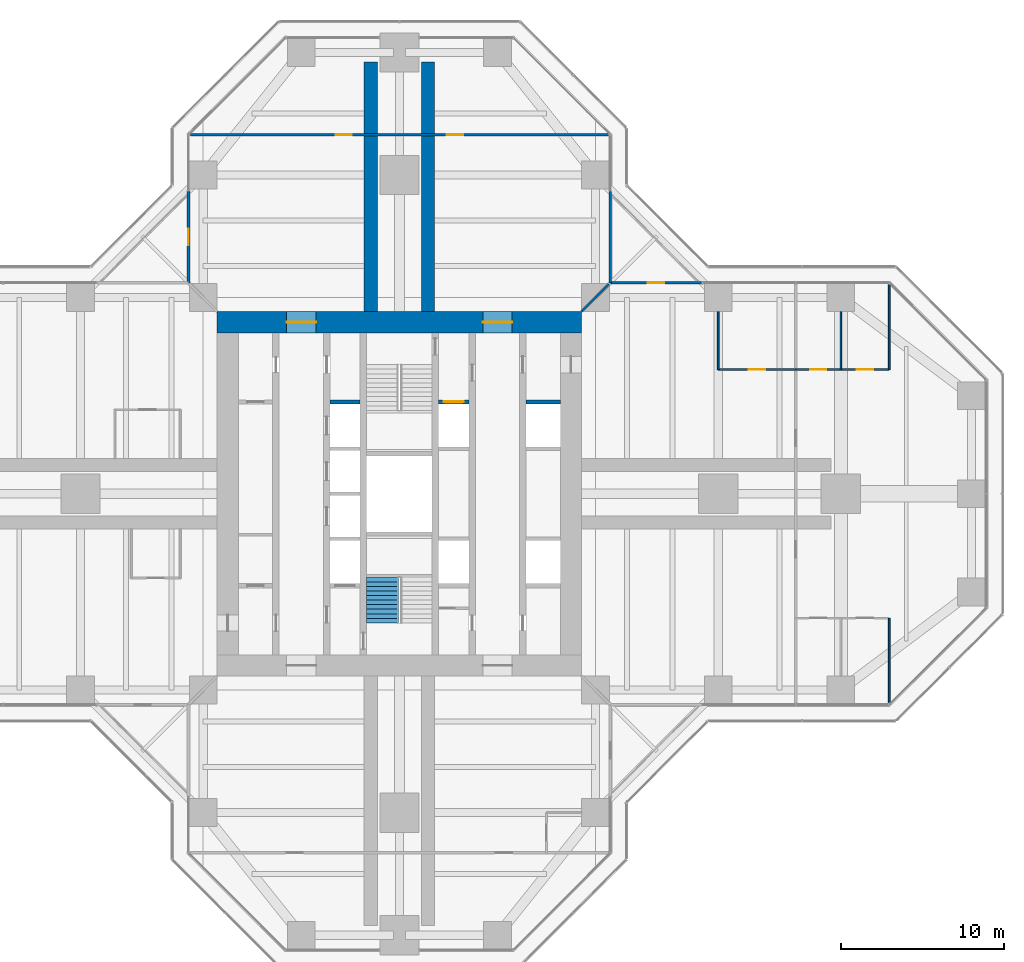
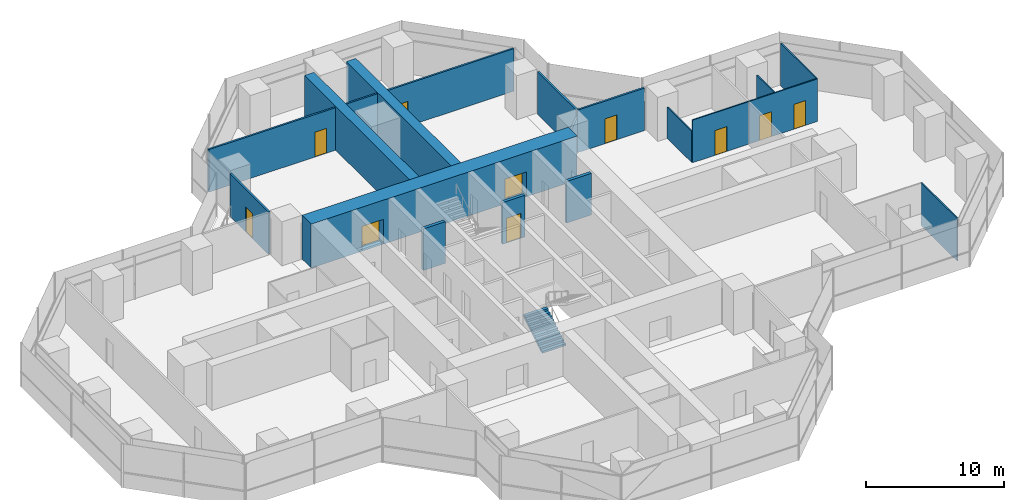
# One storey, part 17 of 19: 17 walls, 10 doors, 1 stair flight, 10 openings, 1 element without a shape of its own.
"""IFC4 building model written with IfcOpenShell, lengths in metres."""

import ifcopenshell
import ifcopenshell.guid

model = None  # the IFC model being written
_history = None  # IfcOwnerHistory: only IFC2X3 demands one
_inside = {}  # id of a spatial element -> (the spatial element, [elements in it])
_under = {}  # id of a project, library or spatial element -> (it, [spatial elements below it])
_declared = {}  # id of a project -> (the project, [libraries it declares])
_typed = {}  # id of a type object -> (the type object, [elements of that type])
_made_of = {}  # id of a material, layer set ... -> (it, [elements and type objects made of it])


def new_model(schema):
    """Start an empty IFC model of exactly this schema.

    Asked for "IFC4X3", IfcOpenShell would pick the latest addendum, in which some entities
    have other attributes; the version numbers below select the first issue.
    IFC2X3 requires an IfcOwnerHistory on every rooted entity: one is made here for all.
    """
    global model, _history
    if schema == "IFC4X3":
        model = ifcopenshell.file(schema_version=(4, 3, 0, 0))
    else:
        model = ifcopenshell.file(schema=schema)
    _inside.clear()
    _under.clear()
    _declared.clear()
    _typed.clear()
    _made_of.clear()
    _history = None
    if model.schema == "IFC2X3":
        org = make("IfcOrganization", Name="unknown")
        user = make(
            "IfcPersonAndOrganization",
            ThePerson=make("IfcPerson", FamilyName="unknown"),
            TheOrganization=org,
        )
        app = make(
            "IfcApplication",
            ApplicationDeveloper=org,
            Version="unknown",
            ApplicationFullName="unknown",
            ApplicationIdentifier="unknown",
        )
        _history = make(
            "IfcOwnerHistory",
            OwningUser=user,
            OwningApplication=app,
            ChangeAction="ADDED",
            CreationDate=0,
        )
    return model


def make(cls, **values):
    """One entity of the class cls with the attributes given. An attribute that is None is left unset."""
    return model.create_entity(
        cls, **{name: value for name, value in values.items() if value is not None}
    )


def rooted(cls, **values):
    """An entity with a GlobalId (a new one), such as an element, a storey or a relation."""
    return make(cls, GlobalId=ifcopenshell.guid.new(), OwnerHistory=_history, **values)


def si_unit(unit_type, name, prefix=None):
    """IfcSIUnit, for example si_unit("LENGTHUNIT", "METRE", prefix="MILLI")."""
    return make("IfcSIUnit", UnitType=unit_type, Prefix=prefix, Name=name)


def assignment(units):
    """IfcUnitAssignment: the units of a project."""
    return None if units is None else make("IfcUnitAssignment", Units=units)


def point(xyz):
    """IfcCartesianPoint."""
    return None if xyz is None else make("IfcCartesianPoint", Coordinates=xyz)


def direction(xyz):
    """IfcDirection."""
    return None if xyz is None else make("IfcDirection", DirectionRatios=xyz)


def frame(location, z_axis=None, x_axis=None):
    """IfcAxis2Placement3D, a coordinate frame: its origin and axes. An axis left out is left unset."""
    return make(
        "IfcAxis2Placement3D",
        Location=point(location),
        Axis=direction(z_axis),
        RefDirection=direction(x_axis),
    )


def frame_2d(location, x_axis=None):
    """IfcAxis2Placement2D, a coordinate frame in the plane: its origin and x axis."""
    return make(
        "IfcAxis2Placement2D", Location=point(location), RefDirection=direction(x_axis)
    )


def origin():
    """The frame at (0, 0, 0) with its axes left unset."""
    return frame((0.0, 0.0, 0.0))


def place(relative_to, where):
    """IfcLocalPlacement: puts the frame where relative to a parent placement (None: the world)."""
    return make(
        "IfcLocalPlacement", PlacementRelTo=relative_to, RelativePlacement=where
    )


def context(
    kind, dimensions, precision=None, world=None, true_north=None, identifier=None
):
    """IfcGeometricRepresentationContext, for example the 3D "Model" context."""
    return make(
        "IfcGeometricRepresentationContext",
        ContextIdentifier=identifier,
        ContextType=kind,
        CoordinateSpaceDimension=dimensions,
        Precision=precision,
        WorldCoordinateSystem=world,
        TrueNorth=true_north,
    )


def subcontext(parent, identifier, kind, view, scale=None):
    """IfcGeometricRepresentationSubContext, for example "Body" below "Model"."""
    return make(
        "IfcGeometricRepresentationSubContext",
        ContextIdentifier=identifier,
        ContextType=kind,
        ParentContext=parent,
        TargetScale=scale,
        TargetView=view,
    )


def project(units=None, contexts=None):
    """IfcProject with its units and contexts."""
    return rooted(
        "IfcProject",
        Name="project",
        RepresentationContexts=contexts,
        UnitsInContext=assignment(units),
    )


def spatial(cls, under=None, at=None, **own):
    """A site, building, storey or space (cls), placed at a placement, below another one or the project."""
    s = rooted(cls, ObjectPlacement=at, **own)
    if under is not None:
        _under.setdefault(under.id(), (under, []))[1].append(s)
    return s


def polyline(points):
    """IfcPolyline through the points."""
    return make("IfcPolyline", Points=[point(p) for p in points])


def profile(cls, at=None, kind="AREA", **sizes):
    """A parametric profile (cls). Its sizes go by their IFC names, for example OverallWidth=200.0."""
    return make(cls, ProfileType=kind, Position=at, **sizes)


def rectangle(**sizes):
    """IfcRectangleProfileDef."""
    return profile("IfcRectangleProfileDef", **sizes)


def outline(outer, holes=None, kind="AREA"):
    """IfcArbitraryClosedProfileDef: a profile drawn as a closed curve; with holes, ...WithVoids."""
    if holes is None:
        return make("IfcArbitraryClosedProfileDef", ProfileType=kind, OuterCurve=outer)
    return make(
        "IfcArbitraryProfileDefWithVoids",
        ProfileType=kind,
        OuterCurve=outer,
        InnerCurves=holes,
    )


def extrude(swept, where, along, depth):
    """IfcExtrudedAreaSolid: the profile swept, set in the frame where, extruded along a direction by depth."""
    return make(
        "IfcExtrudedAreaSolid",
        SweptArea=swept,
        Position=where,
        ExtrudedDirection=direction(along),
        Depth=depth,
    )


def shape(context_of_items, identifier, shape_type, items):
    """IfcShapeRepresentation: the items that make up one representation, for example the "Body"."""
    return make(
        "IfcShapeRepresentation",
        ContextOfItems=context_of_items,
        RepresentationIdentifier=identifier,
        RepresentationType=shape_type,
        Items=items,
    )


def material(Name=None, Category=None):
    """IfcMaterial."""
    return make("IfcMaterial", Name=Name, Category=Category)


def layer(
    of_material, thickness, ventilated=None, Name=None, Category=None, Priority=None
):
    """IfcMaterialLayer: one layer of a wall or slab, of a material (None: an air gap)."""
    return make(
        "IfcMaterialLayer",
        Material=of_material,
        LayerThickness=thickness,
        IsVentilated=ventilated,
        Name=Name,
        Category=Category,
        Priority=Priority,
    )


def layer_set(layers, Name=None):
    """IfcMaterialLayerSet."""
    return make("IfcMaterialLayerSet", MaterialLayers=layers, LayerSetName=Name)


def made_of(thing, what):
    """Note that an element or type object is made of a material, layer set ...; save() writes the relation."""
    if what is not None:
        _made_of.setdefault(what.id(), (what, []))[1].append(thing)
    return thing


def type_object(cls, material=None, **own):
    """A type object (cls), such as IfcWallType, which elements share."""
    return made_of(rooted(cls, **own), material)


def element(
    cls,
    number,
    at=None,
    inside=None,
    cuts=None,
    type_object=None,
    material=None,
    context=None,
    identifier="Body",
    shape_type=None,
    held_by="IfcProductDefinitionShape",
    body=None,
    shapes=None,
    **own,
):
    """One element of the class cls, such as IfcWall. Its Tag is "e" and its number.

    at: its placement. inside: the storey or other place that contains it. cuts: it is an
    opening in that element (IfcRelVoidsElement). A single representation is given by context,
    identifier, shape_type and body (its items); several are given by shapes. held_by: the class
    of the entity that holds the representations. save() writes the other relations.
    """
    e = rooted(cls, Tag="e%d" % number, ObjectPlacement=at, **own)
    if body is not None:
        shapes = [shape(context, identifier, shape_type, body)]
    if shapes is not None:
        e.Representation = make(held_by, Representations=shapes)
    if inside is not None:
        _inside.setdefault(inside.id(), (inside, []))[1].append(e)
    if cuts is not None:
        rooted(
            "IfcRelVoidsElement", RelatingBuildingElement=cuts, RelatedOpeningElement=e
        )
    if type_object is not None:
        _typed.setdefault(type_object.id(), (type_object, []))[1].append(e)
    return made_of(e, material)


def fill(opening, filler):
    """IfcRelFillsElement: the door or window that sits in an opening."""
    return rooted(
        "IfcRelFillsElement",
        RelatingOpeningElement=opening,
        RelatedBuildingElement=filler,
    )


def aggregate(whole, parts):
    """IfcRelAggregates: a whole, such as a stair, and the parts it consists of."""
    return rooted("IfcRelAggregates", RelatingObject=whole, RelatedObjects=parts)


def save(model, path):
    """Write the relations noted so far, then the file.

    IfcRelAggregates (storeys below a building ...), IfcRelContainedInSpatialStructure (elements
    in a storey), IfcRelDefinesByType, IfcRelAssociatesMaterial and IfcRelDeclares: one each for
    every whole, place, type object, material and project.
    """
    for whole, parts in _under.values():
        aggregate(whole, parts)
    for where, things in _inside.values():
        rooted(
            "IfcRelContainedInSpatialStructure",
            RelatedElements=things,
            RelatingStructure=where,
        )
    for kind, things in _typed.values():
        rooted("IfcRelDefinesByType", RelatedObjects=things, RelatingType=kind)
    for what, things in _made_of.values():
        rooted("IfcRelAssociatesMaterial", RelatedObjects=things, RelatingMaterial=what)
    for by, libraries in _declared.values():
        rooted("IfcRelDeclares", RelatingContext=by, RelatedDefinitions=libraries)
    model.write(path)


model = new_model("IFC4")

# Units and contexts
model_context = context("Model", 3, precision=1e-05, world=origin(), true_north=direction((0.0, 1.0)))
body_context = subcontext(model_context, "Body", "Model", "MODEL_VIEW")
ifc_project = project(units=[si_unit("LENGTHUNIT", "METRE"), si_unit("AREAUNIT", "SQUARE_METRE"), si_unit("VOLUMEUNIT", "CUBIC_METRE"), si_unit("PLANEANGLEUNIT", "RADIAN"), si_unit("MASSUNIT", "GRAM", prefix="KILO")], contexts=[model_context])

# Site, building, storey
site_placement = place(None, origin())
site = spatial("IfcSite", under=ifc_project, at=site_placement, CompositionType="ELEMENT")
building_placement = place(site_placement, origin())
building = spatial("IfcBuilding", under=site, at=building_placement, Name="Mizan Broadcast Tower", CompositionType="ELEMENT")
storey_placement = place(building_placement, frame((0.0, 0.0, 132.0)))
storey = spatial("IfcBuildingStorey", under=building, at=storey_placement, Name="L29", CompositionType="ELEMENT", Elevation=132.0)

# Wall, openings, doors
ifc_material_1 = material(Name="Concrete C70/85", Category="concrete")
ifc_layer_1 = layer(ifc_material_1, 1.300048828125)
ifc_layer_set_1 = layer_set([ifc_layer_1], Name="Concrete C70/85")
wall_type_1 = type_object("IfcWallType", Name="CORE WALL 1300", PredefinedType="SHEAR", material=ifc_layer_set_1)
wall_1_placement = place(storey_placement, frame((-11.14990234375, 10.5, 0.0), z_axis=(0.0, 0.0, 1.0), x_axis=(1.0, 0.0, 0.0)))
wall_1 = element("IfcWall", 1, at=wall_1_placement, inside=storey, type_object=wall_type_1, Name="Core wall N L29", PredefinedType="SHEAR", context=body_context, shape_type="SweptSolid", body=[
    extrude(rectangle(XDim=22.2998046875, YDim=1.300048828125, at=frame_2d((11.14990234375, 0.0))), origin(), (0.0, 0.0, 1.0), 3.89990234375),
])
opening_1_placement = place(wall_1_placement, frame((4.25, 0.0, 0.0)))
opening_1 = element("IfcOpeningElement", 2, at=opening_1_placement, cuts=wall_1, Name="Opening D18F", PredefinedType="OPENING", context=body_context, shape_type="SweptSolid", body=[
    extrude(rectangle(XDim=1.800048828125, YDim=2.199951171875, at=frame_2d((0.89990234375, 1.10009765625))), frame((0.0, 0.659912109375, 0.0), z_axis=(0.0, -1.0, 0.0), x_axis=(1.0, 0.0, 0.0)), (0.0, 0.0, 1.0), 1.320068359375),
])
opening_2_placement = place(wall_1_placement, frame((16.25, 0.0, 0.0)))
opening_2 = element("IfcOpeningElement", 3, at=opening_2_placement, cuts=wall_1, Name="Opening D18F", PredefinedType="OPENING", context=body_context, shape_type="SweptSolid", body=[
    extrude(rectangle(XDim=1.800048828125, YDim=2.199951171875, at=frame_2d((0.89990234375, 1.10009765625))), frame((0.0, 0.659912109375, 0.0), z_axis=(0.0, -1.0, 0.0), x_axis=(1.0, 0.0, 0.0)), (0.0, 0.0, 1.0), 1.320068359375),
])
ifc_material_2 = material(Name="Steel door leaf in steel frame", Category="steel")
door_type_1 = type_object("IfcDoorType", Name="LOBBY DOUBLE DOOR 1800 FD90", OperationType="DOUBLE_DOOR_DOUBLE_SWING", PredefinedType="DOOR", material=ifc_material_2)
door_1_placement = place(opening_1_placement, origin())
door_1 = element("IfcDoor", 4, at=door_1_placement, inside=storey, type_object=door_type_1, Name="West lift lobby north door", OperationType="DOUBLE_DOOR_DOUBLE_SWING", OverallHeight=2.199951171875, OverallWidth=1.800048828125, PredefinedType="DOOR", context=body_context, shape_type="SweptSolid", body=[
    extrude(rectangle(XDim=1.800048828125, YDim=2.199951171875, at=frame_2d((0.89990234375, 1.10009765625))), frame((0.0, 0.02490234375, 0.0), z_axis=(0.0, -1.0, 0.0), x_axis=(1.0, 0.0, 0.0)), (0.0, 0.0, 1.0), 0.050048828125),
])
fill(opening_1, door_1)
door_2_placement = place(opening_2_placement, origin())
door_2 = element("IfcDoor", 5, at=door_2_placement, inside=storey, type_object=door_type_1, Name="East lift lobby north door", OperationType="DOUBLE_DOOR_DOUBLE_SWING", OverallHeight=2.199951171875, OverallWidth=1.800048828125, PredefinedType="DOOR", context=body_context, shape_type="SweptSolid", body=[
    extrude(rectangle(XDim=1.800048828125, YDim=2.199951171875, at=frame_2d((0.89990234375, 1.10009765625))), frame((0.0, 0.02490234375, 0.0), z_axis=(0.0, -1.0, 0.0), x_axis=(1.0, 0.0, 0.0)), (0.0, 0.0, 1.0), 0.050048828125),
])
fill(opening_2, door_2)

# Wall, opening, door
ifc_material_3 = material(Name="Aluminium framed glazed screen", Category="aluminium")
ifc_layer_2 = layer(ifc_material_3, 0.159912109375)
ifc_layer_set_2 = layer_set([ifc_layer_2], Name="Aluminium framed glazed screen")
wall_type_2 = type_object("IfcWallType", Name="GLAZED SCREEN WALL 160", PredefinedType="SOLIDWALL", material=ifc_layer_set_2)
wall_2_placement = place(storey_placement, frame((18.5, 12.89990234375, 0.0), z_axis=(0.0, 0.0, 1.0), x_axis=(-1.0, 0.0, 0.0)))
wall_2 = element("IfcWall", 6, at=wall_2_placement, inside=storey, type_object=wall_type_2, Name="Winter garden screen L29 E", PredefinedType="SOLIDWALL", context=body_context, shape_type="SweptSolid", body=[
    extrude(rectangle(XDim=5.60009765625, YDim=0.159912109375, at=frame_2d((2.800048828125, 0.0))), origin(), (0.0, 0.0, 1.0), 3.77001953125),
])
opening_3_placement = place(wall_2_placement, frame((2.300048828125, 0.0, 0.0)))
opening_3 = element("IfcOpeningElement", 7, at=opening_3_placement, cuts=wall_2, Name="Opening WGD", PredefinedType="OPENING", context=body_context, shape_type="SweptSolid", body=[
    extrude(rectangle(XDim=1.0, YDim=2.199951171875, at=frame_2d((0.5, 1.10009765625))), frame((0.0, 0.08984375, 0.0), z_axis=(0.0, -1.0, 0.0), x_axis=(1.0, 0.0, 0.0)), (0.0, 0.0, 1.0), 0.179931640625),
])
ifc_material_4 = material(Name="Aluminium framed glazed door", Category="aluminium")
door_type_2 = type_object("IfcDoorType", Name="WINTER GARDEN DOOR 1000 GLAZED", OperationType="SINGLE_SWING_LEFT", PredefinedType="DOOR", material=ifc_material_4)
door_3_placement = place(opening_3_placement, origin())
door_3 = element("IfcDoor", 8, at=door_3_placement, inside=storey, type_object=door_type_2, Name="Winter garden door L29 E", OperationType="SINGLE_SWING_RIGHT", OverallHeight=2.199951171875, OverallWidth=1.0, PredefinedType="DOOR", context=body_context, shape_type="SweptSolid", body=[
    extrude(rectangle(XDim=1.0, YDim=2.199951171875, at=frame_2d((0.5, 1.10009765625))), frame((0.0, 0.02490234375, 0.0), z_axis=(0.0, -1.0, 0.0), x_axis=(1.0, 0.0, 0.0)), (0.0, 0.0, 1.0), 0.050048828125),
])
fill(opening_3, door_3)

# Wall
wall_3_placement = place(storey_placement, frame((12.89990234375, 12.89990234375, 0.0), z_axis=(0.0, 0.0, 1.0), x_axis=(0.0, 1.0, 0.0)))
element("IfcWall", 9, at=wall_3_placement, inside=storey, type_object=wall_type_2, Name="Winter garden screen L29 N", PredefinedType="SOLIDWALL", context=body_context, shape_type="SweptSolid", body=[
    extrude(rectangle(XDim=5.60009765625, YDim=0.159912109375, at=frame_2d((2.800048828125, 0.0))), origin(), (0.0, 0.0, 1.0), 3.77001953125),
])

# Wall, opening, door
wall_4_placement = place(storey_placement, frame((-12.89990234375, 18.5, 0.0), z_axis=(0.0, 0.0, 1.0), x_axis=(0.0, -1.0, 0.0)))
wall_4 = element("IfcWall", 10, at=wall_4_placement, inside=storey, type_object=wall_type_2, Name="Winter garden screen L29 N", PredefinedType="SOLIDWALL", context=body_context, shape_type="SweptSolid", body=[
    extrude(rectangle(XDim=5.60009765625, YDim=0.159912109375, at=frame_2d((2.800048828125, 0.0))), origin(), (0.0, 0.0, 1.0), 3.77001953125),
])
opening_4_placement = place(wall_4_placement, frame((2.300048828125, 0.0, 0.0)))
opening_4 = element("IfcOpeningElement", 11, at=opening_4_placement, cuts=wall_4, Name="Opening WGD", PredefinedType="OPENING", context=body_context, shape_type="SweptSolid", body=[
    extrude(rectangle(XDim=1.0, YDim=2.199951171875, at=frame_2d((0.5, 1.10009765625))), frame((0.0, 0.08984375, 0.0), z_axis=(0.0, -1.0, 0.0), x_axis=(1.0, 0.0, 0.0)), (0.0, 0.0, 1.0), 0.179931640625),
])
door_4_placement = place(opening_4_placement, origin())
door_4 = element("IfcDoor", 12, at=door_4_placement, inside=storey, type_object=door_type_2, Name="Winter garden door L29 N", OperationType="SINGLE_SWING_RIGHT", OverallHeight=2.199951171875, OverallWidth=1.0, PredefinedType="DOOR", context=body_context, shape_type="SweptSolid", body=[
    extrude(rectangle(XDim=1.0, YDim=2.199951171875, at=frame_2d((0.5, 1.10009765625))), frame((0.0, 0.02490234375, 0.0), z_axis=(0.0, -1.0, 0.0), x_axis=(1.0, 0.0, 0.0)), (0.0, 0.0, 1.0), 0.050048828125),
])
fill(opening_4, door_4)

# Wall
ifc_material_5 = material(Name="Concrete blockwork", Category="masonry")
ifc_layer_3 = layer(ifc_material_5, 0.25)
ifc_layer_set_3 = layer_set([ifc_layer_3], Name="Concrete blockwork")
wall_type_3 = type_object("IfcWallType", Name="LOBBY ENCLOSURE WALL 250", PredefinedType="SOLIDWALL", material=ifc_layer_set_3)
wall_5_placement = place(storey_placement, frame((-4.25, 5.625, 0.0), z_axis=(0.0, 0.0, 1.0), x_axis=(1.0, 0.0, 0.0)))
element("IfcWall", 13, at=wall_5_placement, inside=storey, type_object=wall_type_3, Name="Lobby enclosure wall CORE/BW2N", PredefinedType="SOLIDWALL", context=body_context, shape_type="SweptSolid", body=[
    extrude(rectangle(XDim=1.85009765625, YDim=0.25, at=frame_2d((0.925048828125, 0.0))), origin(), (0.0, 0.0, 1.0), 3.699951171875),
])

# Wall, opening, door
wall_6_placement = place(storey_placement, frame((2.39990234375, 5.625, 0.0), z_axis=(0.0, 0.0, 1.0), x_axis=(1.0, 0.0, 0.0)))
wall_6 = element("IfcWall", 14, at=wall_6_placement, inside=storey, type_object=wall_type_3, Name="Lobby enclosure wall CORE/BE2N", PredefinedType="SOLIDWALL", context=body_context, shape_type="SweptSolid", body=[
    extrude(rectangle(XDim=1.85009765625, YDim=0.25, at=frame_2d((0.925048828125, 0.0))), origin(), (0.0, 0.0, 1.0), 3.699951171875),
])
opening_5_placement = place(wall_6_placement, frame((0.324951171875, 0.0, 0.0)))
opening_5 = element("IfcOpeningElement", 15, at=opening_5_placement, cuts=wall_6, Name="Opening LDF", PredefinedType="OPENING", context=body_context, shape_type="SweptSolid", body=[
    extrude(rectangle(XDim=1.199951171875, YDim=2.199951171875, at=frame_2d((0.60009765625, 1.10009765625))), frame((0.0, 0.135009765625, 0.0), z_axis=(0.0, -1.0, 0.0), x_axis=(1.0, 0.0, 0.0)), (0.0, 0.0, 1.0), 0.27001953125),
])
ifc_material_6 = material(Name="Steel door leaf in steel frame", Category="steel")
door_type_3 = type_object("IfcDoorType", Name="FIREFIGHTING LIFT LANDING DOOR 1200", OperationType="SLIDING_TO_LEFT", PredefinedType="DOOR", material=ifc_material_6)
door_5_placement = place(opening_5_placement, origin())
door_5 = element("IfcDoor", 16, at=door_5_placement, inside=storey, type_object=door_type_3, Name="Landing door FF2", OperationType="SLIDING_TO_LEFT", OverallHeight=2.199951171875, OverallWidth=1.199951171875, PredefinedType="DOOR", context=body_context, shape_type="SweptSolid", body=[
    extrude(rectangle(XDim=1.199951171875, YDim=2.199951171875, at=frame_2d((0.60009765625, 1.10009765625))), frame((0.0, 0.02490234375, 0.0), z_axis=(0.0, -1.0, 0.0), x_axis=(1.0, 0.0, 0.0)), (0.0, 0.0, 1.0), 0.050048828125),
])
fill(opening_5, door_5)

# Wall
wall_7_placement = place(storey_placement, frame((7.75, 5.625, 0.0), z_axis=(0.0, 0.0, 1.0), x_axis=(1.0, 0.0, 0.0)))
element("IfcWall", 17, at=wall_7_placement, inside=storey, type_object=wall_type_3, Name="Lobby enclosure wall CORE/BE1N", PredefinedType="SOLIDWALL", context=body_context, shape_type="SweptSolid", body=[
    extrude(rectangle(XDim=2.10009765625, YDim=0.25, at=frame_2d((1.050048828125, 0.0))), origin(), (0.0, 0.0, 1.0), 3.699951171875),
])

# Wall, openings, doors
ifc_material_7 = material(Name="Gypsum board on steel studs", Category="steel")
ifc_layer_4 = layer(ifc_material_7, 0.14990234375)
ifc_layer_set_4 = layer_set([ifc_layer_4], Name="Gypsum board on steel studs")
wall_type_4 = type_object("IfcWallType", Name="PARTITION 150", PredefinedType="PARTITIONING", material=ifc_layer_set_4)
wall_8_placement = place(storey_placement, frame((12.786376953125, 21.958984375, 0.0), z_axis=(0.0, 0.0, 1.0), x_axis=(-1.0, 0.0, 0.0)))
wall_8 = element("IfcWall", 18, at=wall_8_placement, inside=storey, type_object=wall_type_4, Name="Partition PT/NX1", PredefinedType="PARTITIONING", context=body_context, shape_type="SweptSolid", body=[
    extrude(rectangle(XDim=25.57275390625, YDim=0.14990234375, at=frame_2d((12.786376953125, 0.0))), origin(), (0.0, 0.0, 1.0), 3.77001953125),
])
opening_6_placement = place(wall_8_placement, frame((15.6865234375, 0.0, 0.0)))
opening_6 = element("IfcOpeningElement", 19, at=opening_6_placement, cuts=wall_8, Name="Opening D10", PredefinedType="OPENING", context=body_context, shape_type="SweptSolid", body=[
    extrude(rectangle(XDim=1.0, YDim=2.199951171875, at=frame_2d((0.5, 1.10009765625))), frame((0.0, 0.0849609375, 0.0), z_axis=(0.0, -1.0, 0.0), x_axis=(1.0, 0.0, 0.0)), (0.0, 0.0, 1.0), 0.169921875),
])
opening_7_placement = place(wall_8_placement, frame((8.886474609375, 0.0, 0.0)))
opening_7 = element("IfcOpeningElement", 20, at=opening_7_placement, cuts=wall_8, Name="Opening D10", PredefinedType="OPENING", context=body_context, shape_type="SweptSolid", body=[
    extrude(rectangle(XDim=1.0, YDim=2.199951171875, at=frame_2d((0.5, 1.10009765625))), frame((0.0, 0.0849609375, 0.0), z_axis=(0.0, -1.0, 0.0), x_axis=(1.0, 0.0, 0.0)), (0.0, 0.0, 1.0), 0.169921875),
])
ifc_material_8 = material(Name="Timber door leaf in aluminium frame", Category="wood")
door_type_4 = type_object("IfcDoorType", Name="ROOM DOOR 1000", OperationType="SINGLE_SWING_LEFT", PredefinedType="DOOR", material=ifc_material_8)
door_6_placement = place(opening_6_placement, origin())
door_6 = element("IfcDoor", 21, at=door_6_placement, inside=storey, type_object=door_type_4, Name="Finance director's office door", OperationType="SINGLE_SWING_RIGHT", OverallHeight=2.199951171875, OverallWidth=1.0, PredefinedType="DOOR", context=body_context, shape_type="SweptSolid", body=[
    extrude(rectangle(XDim=1.0, YDim=2.199951171875, at=frame_2d((0.5, 1.10009765625))), frame((0.0, 0.02490234375, 0.0), z_axis=(0.0, -1.0, 0.0), x_axis=(1.0, 0.0, 0.0)), (0.0, 0.0, 1.0), 0.050048828125),
])
fill(opening_6, door_6)
door_7_placement = place(opening_7_placement, origin())
door_7 = element("IfcDoor", 22, at=door_7_placement, inside=storey, type_object=door_type_4, Name="Finance director's office door", OperationType="SINGLE_SWING_LEFT", OverallHeight=2.199951171875, OverallWidth=1.0, PredefinedType="DOOR", context=body_context, shape_type="SweptSolid", body=[
    extrude(rectangle(XDim=1.0, YDim=2.199951171875, at=frame_2d((0.5, 1.10009765625))), frame((0.0, 0.02490234375, 0.0), z_axis=(0.0, -1.0, 0.0), x_axis=(1.0, 0.0, 0.0)), (0.0, 0.0, 1.0), 0.050048828125),
])
fill(opening_7, door_7)

# Wall
wall_9_placement = place(storey_placement, frame((11.14990234375, 11.14990234375, 0.0), z_axis=(0.0, 0.0, 1.0), x_axis=(0.707106781187, 0.707106781187, 0.0)))
element("IfcWall", 23, at=wall_9_placement, inside=storey, type_object=wall_type_4, Name="Partition PT/DGEN", PredefinedType="PARTITIONING", context=body_context, shape_type="SweptSolid", body=[
    extrude(rectangle(XDim=2.362060546875, YDim=0.14990234375, at=frame_2d((1.18115234375, 0.0))), origin(), (0.0, 0.0, 1.0), 3.219970703125),
])

# Wall, opening, door
ifc_material_9 = material(Name="Glazed aluminium partition on aluminium track", Category="aluminium")
ifc_layer_5 = layer(ifc_material_9, 0.10009765625)
ifc_layer_set_5 = layer_set([ifc_layer_5], Name="Glazed aluminium partition on aluminium track")
wall_type_5 = type_object("IfcWallType", Name="PARTITION GLAZED OFFICE FRONT 100", PredefinedType="PARTITIONING", material=ifc_layer_set_5)
wall_10_placement = place(storey_placement, frame((19.5, 7.60009765625, 0.0), z_axis=(0.0, 0.0, 1.0), x_axis=(1.0, 0.0, 0.0)))
wall_10 = element("IfcWall", 24, at=wall_10_placement, inside=storey, type_object=wall_type_5, Name="Glazed office front PT/ECP0", PredefinedType="PARTITIONING", context=body_context, shape_type="SweptSolid", body=[
    extrude(rectangle(XDim=4.72900390625, YDim=0.10009765625, at=frame_2d((2.364501953125, 0.0))), origin(), (0.0, 0.0, 1.0), 3.77001953125),
])
opening_8_placement = place(wall_10_placement, frame((1.864501953125, 0.0, 0.0)))
opening_8 = element("IfcOpeningElement", 25, at=opening_8_placement, cuts=wall_10, Name="Opening D10O", PredefinedType="OPENING", context=body_context, shape_type="SweptSolid", body=[
    extrude(rectangle(XDim=1.0, YDim=2.199951171875, at=frame_2d((0.5, 1.10009765625))), frame((0.0, 0.06005859375, 0.0), z_axis=(0.0, -1.0, 0.0), x_axis=(1.0, 0.0, 0.0)), (0.0, 0.0, 1.0), 0.1201171875),
])
ifc_material_10 = material(Name="Timber door leaf in aluminium frame", Category="wood")
door_type_5 = type_object("IfcDoorType", Name="OFFICE DOOR 1000 GLAZED", OperationType="SINGLE_SWING_LEFT", PredefinedType="DOOR", material=ifc_material_10)
door_8_placement = place(opening_8_placement, origin())
door_8 = element("IfcDoor", 26, at=door_8_placement, inside=storey, type_object=door_type_5, Name="Office door", OperationType="SINGLE_SWING_LEFT", OverallHeight=2.199951171875, OverallWidth=1.0, PredefinedType="DOOR", context=body_context, shape_type="SweptSolid", body=[
    extrude(rectangle(XDim=1.0, YDim=2.199951171875, at=frame_2d((0.5, 1.10009765625))), frame((0.0, 0.02490234375, 0.0), z_axis=(0.0, -1.0, 0.0), x_axis=(1.0, 0.0, 0.0)), (0.0, 0.0, 1.0), 0.050048828125),
])
fill(opening_8, door_8)

# Wall, openings, doors
wall_11_placement = place(storey_placement, frame((24.22900390625, 7.60009765625, 0.0), z_axis=(0.0, 0.0, 1.0), x_axis=(1.0, 0.0, 0.0)))
wall_11 = element("IfcWall", 27, at=wall_11_placement, inside=storey, type_object=wall_type_5, Name="Glazed office front PT/ECP1", PredefinedType="PARTITIONING", context=body_context, shape_type="SweptSolid", body=[
    extrude(rectangle(XDim=5.72998046875, YDim=0.10009765625, at=frame_2d((2.864990234375, 0.0))), origin(), (0.0, 0.0, 1.0), 3.77001953125),
])
opening_9_placement = place(wall_11_placement, frame((0.885498046875, 0.0, 0.0)))
opening_9 = element("IfcOpeningElement", 28, at=opening_9_placement, cuts=wall_11, Name="Opening D10O", PredefinedType="OPENING", context=body_context, shape_type="SweptSolid", body=[
    extrude(rectangle(XDim=1.0, YDim=2.199951171875, at=frame_2d((0.5, 1.10009765625))), frame((0.0, 0.06005859375, 0.0), z_axis=(0.0, -1.0, 0.0), x_axis=(1.0, 0.0, 0.0)), (0.0, 0.0, 1.0), 0.1201171875),
])
opening_10_placement = place(wall_11_placement, frame((3.75048828125, 0.0, 0.0)))
opening_10 = element("IfcOpeningElement", 29, at=opening_10_placement, cuts=wall_11, Name="Opening D10O", PredefinedType="OPENING", context=body_context, shape_type="SweptSolid", body=[
    extrude(rectangle(XDim=1.0, YDim=2.199951171875, at=frame_2d((0.5, 1.10009765625))), frame((0.0, 0.06005859375, 0.0), z_axis=(0.0, -1.0, 0.0), x_axis=(1.0, 0.0, 0.0)), (0.0, 0.0, 1.0), 0.1201171875),
])
door_9_placement = place(opening_9_placement, origin())
door_9 = element("IfcDoor", 30, at=door_9_placement, inside=storey, type_object=door_type_5, Name="Office door", OperationType="SINGLE_SWING_LEFT", OverallHeight=2.199951171875, OverallWidth=1.0, PredefinedType="DOOR", context=body_context, shape_type="SweptSolid", body=[
    extrude(rectangle(XDim=1.0, YDim=2.199951171875, at=frame_2d((0.5, 1.10009765625))), frame((0.0, 0.02490234375, 0.0), z_axis=(0.0, -1.0, 0.0), x_axis=(1.0, 0.0, 0.0)), (0.0, 0.0, 1.0), 0.050048828125),
])
fill(opening_9, door_9)
door_10_placement = place(opening_10_placement, origin())
door_10 = element("IfcDoor", 31, at=door_10_placement, inside=storey, type_object=door_type_5, Name="Office door", OperationType="SINGLE_SWING_RIGHT", OverallHeight=2.199951171875, OverallWidth=1.0, PredefinedType="DOOR", context=body_context, shape_type="SweptSolid", body=[
    extrude(rectangle(XDim=1.0, YDim=2.199951171875, at=frame_2d((0.5, 1.10009765625))), frame((0.0, 0.02490234375, 0.0), z_axis=(0.0, -1.0, 0.0), x_axis=(1.0, 0.0, 0.0)), (0.0, 0.0, 1.0), 0.050048828125),
])
fill(opening_10, door_10)

# Walls
wall_12_placement = place(storey_placement, frame((19.5, 7.60009765625, 0.0), z_axis=(0.0, 0.0, 1.0), x_axis=(0.0, 1.0, 0.0)))
element("IfcWall", 32, at=wall_12_placement, inside=storey, type_object=wall_type_5, Name="Glazed office front PT/EQP1950", PredefinedType="PARTITIONING", context=body_context, shape_type="SweptSolid", body=[
    extrude(rectangle(XDim=3.5498046875, YDim=0.10009765625, at=frame_2d((1.77490234375, 0.0))), origin(), (0.0, 0.0, 1.0), 2.77001953125),
])
wall_13_placement = place(storey_placement, frame((27.0, 7.60009765625, 0.0), z_axis=(0.0, 0.0, 1.0), x_axis=(0.0, 1.0, 0.0)))
element("IfcWall", 33, at=wall_13_placement, inside=storey, type_object=wall_type_5, Name="Glazed office front PT/EQP2700", PredefinedType="PARTITIONING", context=body_context, shape_type="SweptSolid", body=[
    extrude(rectangle(XDim=3.5498046875, YDim=0.10009765625, at=frame_2d((1.77490234375, 0.0))), origin(), (0.0, 0.0, 1.0), 2.969970703125),
])
for number, where, z_axis, x_axis, name in (
    (34, (29.958984375, 7.60009765625, 0.0), (0.0, 0.0, 1.0), (0.0, 1.0, 0.0), "Glazed office front PT/EQP2996"),
    (35, (29.958984375, -7.60009765625, 0.0), (0.0, 0.0, 1.0), (0.0, -1.0, 0.0), "Glazed office front PT/EQN2996"),
):
    element("IfcWall", number, at=place(storey_placement, frame(where, z_axis=z_axis, x_axis=x_axis)), inside=storey, type_object=wall_type_5, Name=name, PredefinedType="PARTITIONING", context=body_context, shape_type="SweptSolid", body=[
        extrude(rectangle(XDim=5.219970703125, YDim=0.10009765625, at=frame_2d((2.60986328125, 0.0))), origin(), (0.0, 0.0, 1.0), 3.77001953125),
    ])
ifc_material_11 = material(Name="Concrete C70/85", Category="concrete")
ifc_layer_6 = layer(ifc_material_11, 0.800048828125)
ifc_layer_set_6 = layer_set([ifc_layer_6], Name="Concrete C70/85")
wall_type_6 = type_object("IfcWallType", Name="SPINE WALL 800", PredefinedType="SHEAR", material=ifc_layer_set_6)
for number, where, z_axis, x_axis, name in (
    (36, (1.75, 11.14990234375, 0.0), (0.0, 0.0, 1.0), (0.0, 1.0, 0.0), "Spine wall NR L29"),
    (37, (-1.75, 11.14990234375, 0.0), (0.0, 0.0, 1.0), (0.0, 1.0, 0.0), "Spine wall NL L29"),
):
    element("IfcWall", number, at=place(storey_placement, frame(where, z_axis=z_axis, x_axis=x_axis)), inside=storey, type_object=wall_type_6, Name=name, PredefinedType="SHEAR", context=body_context, shape_type="SweptSolid", body=[
        extrude(rectangle(XDim=15.25, YDim=0.800048828125, at=frame_2d((7.625, 0.0))), origin(), (0.0, 0.0, 1.0), 3.89990234375),
    ])

# Stair, stair flight
ifc_material_12 = material(Name="Concrete C40/50", Category="concrete")
stair_type = type_object("IfcStairType", Name="EXIT STAIR", PredefinedType="HALF_TURN_STAIR", material=ifc_material_12)
stair_placement = place(storey_placement, origin())
stair = element("IfcStair", 38, at=stair_placement, inside=storey, type_object=stair_type, Name="Stair A L29", PredefinedType="HALF_TURN_STAIR")
ifc_material_13 = material(Name="Concrete C40/50", Category="concrete")
stair_flight_type = type_object("IfcStairFlightType", Name="EXIT STAIR FLIGHT", PredefinedType="STRAIGHT", material=ifc_material_13)
stair_flight_placement = place(storey_placement, frame((-1.02490234375, -7.89990234375, 0.0), z_axis=(0.0, 0.0, 1.0), x_axis=(0.0, 1.0, 0.0)))
stair_flight = element("IfcStairFlight", 39, at=stair_flight_placement, type_object=stair_flight_type, Name="A flight 1", NumberOfRisers=11, NumberOfTreads=10, PredefinedType="STRAIGHT", RiserHeight=0.177272727, TreadLength=0.28, context=body_context, shape_type="SweptSolid", body=[
    extrude(outline(polyline([(0.0, 0.0), (0.0, 0.17724609375), (0.280029296875, 0.17724609375), (0.280029296875, 0.3544921875), (0.56005859375, 0.3544921875), (0.56005859375, 0.53173828125), (0.840087890625, 0.53173828125), (0.840087890625, 0.708984375), (1.1201171875, 0.708984375), (1.1201171875, 0.886474609375), (1.39990234375, 0.886474609375), (1.39990234375, 1.063720703125), (1.679931640625, 1.063720703125), (1.679931640625, 1.240966796875), (1.9599609375, 1.240966796875), (1.9599609375, 1.418212890625), (2.239990234375, 1.418212890625), (2.239990234375, 1.595458984375), (2.52001953125, 1.595458984375), (2.52001953125, 1.772705078125), (2.800048828125, 1.772705078125), (2.800048828125, 1.949951171875), (2.800048828125, 1.59521484375), (0.2802734375, 0.0), (0.0, 0.0)])), frame((0.0, 0.97509765625, 0.0), z_axis=(0.0, -1.0, 0.0), x_axis=(1.0, 0.0, 0.0)), (0.0, 0.0, 1.0), 0.4873046875),
    extrude(outline(polyline([(0.0, 0.0), (0.0, 0.17724609375), (0.280029296875, 0.17724609375), (0.280029296875, 0.3544921875), (0.56005859375, 0.3544921875), (0.56005859375, 0.53173828125), (0.840087890625, 0.53173828125), (0.840087890625, 0.708984375), (1.1201171875, 0.708984375), (1.1201171875, 0.886474609375), (1.39990234375, 0.886474609375), (1.39990234375, 1.063720703125), (1.679931640625, 1.063720703125), (1.679931640625, 1.240966796875), (1.9599609375, 1.240966796875), (1.9599609375, 1.418212890625), (2.239990234375, 1.418212890625), (2.239990234375, 1.595458984375), (2.52001953125, 1.595458984375), (2.52001953125, 1.772705078125), (2.800048828125, 1.772705078125), (2.800048828125, 1.949951171875), (2.800048828125, 1.59521484375), (0.2802734375, 0.0), (0.0, 0.0)])), frame((0.0, 0.4873046875, 0.0), z_axis=(0.0, -1.0, 0.0), x_axis=(1.0, 0.0, 0.0)), (0.0, 0.0, 1.0), 0.2431640625),
    extrude(outline(polyline([(0.0, 0.0), (0.0, 0.17724609375), (0.280029296875, 0.17724609375), (0.280029296875, 0.3544921875), (0.56005859375, 0.3544921875), (0.56005859375, 0.53173828125), (0.840087890625, 0.53173828125), (0.840087890625, 0.708984375), (1.1201171875, 0.708984375), (1.1201171875, 0.886474609375), (1.39990234375, 0.886474609375), (1.39990234375, 1.063720703125), (1.679931640625, 1.063720703125), (1.679931640625, 1.240966796875), (1.9599609375, 1.240966796875), (1.9599609375, 1.418212890625), (2.239990234375, 1.418212890625), (2.239990234375, 1.595458984375), (2.52001953125, 1.595458984375), (2.52001953125, 1.772705078125), (2.800048828125, 1.772705078125), (2.800048828125, 1.949951171875), (2.800048828125, 1.59521484375), (0.2802734375, 0.0), (0.0, 0.0)])), frame((0.0, 0.24365234375, 0.0), z_axis=(0.0, -1.0, 0.0), x_axis=(1.0, 0.0, 0.0)), (0.0, 0.0, 1.0), 0.121337890625),
    extrude(outline(polyline([(0.0, 0.0), (0.0, 0.17724609375), (0.280029296875, 0.17724609375), (0.280029296875, 0.3544921875), (0.56005859375, 0.3544921875), (0.56005859375, 0.53173828125), (0.840087890625, 0.53173828125), (0.840087890625, 0.708984375), (1.1201171875, 0.708984375), (1.1201171875, 0.886474609375), (1.39990234375, 0.886474609375), (1.39990234375, 1.063720703125), (1.679931640625, 1.063720703125), (1.679931640625, 1.240966796875), (1.9599609375, 1.240966796875), (1.9599609375, 1.418212890625), (2.239990234375, 1.418212890625), (2.239990234375, 1.595458984375), (2.52001953125, 1.595458984375), (2.52001953125, 1.772705078125), (2.800048828125, 1.772705078125), (2.800048828125, 1.949951171875), (2.800048828125, 1.59521484375), (0.2802734375, 0.0), (0.0, 0.0)])), frame((0.0, 0.121826171875, 0.0), z_axis=(0.0, -1.0, 0.0), x_axis=(1.0, 0.0, 0.0)), (0.0, 0.0, 1.0), 0.060546875),
    extrude(outline(polyline([(0.0, 0.0), (0.0, 0.17724609375), (0.280029296875, 0.17724609375), (0.280029296875, 0.3544921875), (0.56005859375, 0.3544921875), (0.56005859375, 0.53173828125), (0.840087890625, 0.53173828125), (0.840087890625, 0.708984375), (1.1201171875, 0.708984375), (1.1201171875, 0.886474609375), (1.39990234375, 0.886474609375), (1.39990234375, 1.063720703125), (1.679931640625, 1.063720703125), (1.679931640625, 1.240966796875), (1.9599609375, 1.240966796875), (1.9599609375, 1.418212890625), (2.239990234375, 1.418212890625), (2.239990234375, 1.595458984375), (2.52001953125, 1.595458984375), (2.52001953125, 1.772705078125), (2.800048828125, 1.772705078125), (2.800048828125, 1.949951171875), (2.800048828125, 1.59521484375), (0.2802734375, 0.0), (0.0, 0.0)])), frame((0.0, 0.060791015625, 0.0), z_axis=(0.0, -1.0, 0.0), x_axis=(1.0, 0.0, 0.0)), (0.0, 0.0, 1.0), 0.030029296875),
    extrude(outline(polyline([(0.0, 0.0), (0.0, 0.17724609375), (0.280029296875, 0.17724609375), (0.280029296875, 0.3544921875), (0.56005859375, 0.3544921875), (0.56005859375, 0.53173828125), (0.840087890625, 0.53173828125), (0.840087890625, 0.708984375), (1.1201171875, 0.708984375), (1.1201171875, 0.886474609375), (1.39990234375, 0.886474609375), (1.39990234375, 1.063720703125), (1.679931640625, 1.063720703125), (1.679931640625, 1.240966796875), (1.9599609375, 1.240966796875), (1.9599609375, 1.418212890625), (2.239990234375, 1.418212890625), (2.239990234375, 1.595458984375), (2.52001953125, 1.595458984375), (2.52001953125, 1.772705078125), (2.800048828125, 1.772705078125), (2.800048828125, 1.949951171875), (2.800048828125, 1.59521484375), (0.2802734375, 0.0), (0.0, 0.0)])), frame((0.0, 0.0302734375, 0.0), z_axis=(0.0, -1.0, 0.0), x_axis=(1.0, 0.0, 0.0)), (0.0, 0.0, 1.0), 0.060302734375),
    extrude(outline(polyline([(0.0, 0.0), (0.0, 0.17724609375), (0.280029296875, 0.17724609375), (0.280029296875, 0.3544921875), (0.56005859375, 0.3544921875), (0.56005859375, 0.53173828125), (0.840087890625, 0.53173828125), (0.840087890625, 0.708984375), (1.1201171875, 0.708984375), (1.1201171875, 0.886474609375), (1.39990234375, 0.886474609375), (1.39990234375, 1.063720703125), (1.679931640625, 1.063720703125), (1.679931640625, 1.240966796875), (1.9599609375, 1.240966796875), (1.9599609375, 1.418212890625), (2.239990234375, 1.418212890625), (2.239990234375, 1.595458984375), (2.52001953125, 1.595458984375), (2.52001953125, 1.772705078125), (2.800048828125, 1.772705078125), (2.800048828125, 1.949951171875), (2.800048828125, 1.59521484375), (0.2802734375, 0.0), (0.0, 0.0)])), frame((0.0, -0.030517578125, 0.0), z_axis=(0.0, -1.0, 0.0), x_axis=(1.0, 0.0, 0.0)), (0.0, 0.0, 1.0), 0.030029296875),
    extrude(outline(polyline([(0.0, 0.0), (0.0, 0.17724609375), (0.280029296875, 0.17724609375), (0.280029296875, 0.3544921875), (0.56005859375, 0.3544921875), (0.56005859375, 0.53173828125), (0.840087890625, 0.53173828125), (0.840087890625, 0.708984375), (1.1201171875, 0.708984375), (1.1201171875, 0.886474609375), (1.39990234375, 0.886474609375), (1.39990234375, 1.063720703125), (1.679931640625, 1.063720703125), (1.679931640625, 1.240966796875), (1.9599609375, 1.240966796875), (1.9599609375, 1.418212890625), (2.239990234375, 1.418212890625), (2.239990234375, 1.595458984375), (2.52001953125, 1.595458984375), (2.52001953125, 1.772705078125), (2.800048828125, 1.772705078125), (2.800048828125, 1.949951171875), (2.800048828125, 1.59521484375), (0.2802734375, 0.0), (0.0, 0.0)])), frame((0.0, -0.06103515625, 0.0), z_axis=(0.0, -1.0, 0.0), x_axis=(1.0, 0.0, 0.0)), (0.0, 0.0, 1.0), 0.060546875),
    extrude(outline(polyline([(0.0, 0.0), (0.0, 0.17724609375), (0.280029296875, 0.17724609375), (0.280029296875, 0.3544921875), (0.56005859375, 0.3544921875), (0.56005859375, 0.53173828125), (0.840087890625, 0.53173828125), (0.840087890625, 0.708984375), (1.1201171875, 0.708984375), (1.1201171875, 0.886474609375), (1.39990234375, 0.886474609375), (1.39990234375, 1.063720703125), (1.679931640625, 1.063720703125), (1.679931640625, 1.240966796875), (1.9599609375, 1.240966796875), (1.9599609375, 1.418212890625), (2.239990234375, 1.418212890625), (2.239990234375, 1.595458984375), (2.52001953125, 1.595458984375), (2.52001953125, 1.772705078125), (2.800048828125, 1.772705078125), (2.800048828125, 1.949951171875), (2.800048828125, 1.59521484375), (0.2802734375, 0.0), (0.0, 0.0)])), frame((0.0, -0.1220703125, 0.0), z_axis=(0.0, -1.0, 0.0), x_axis=(1.0, 0.0, 0.0)), (0.0, 0.0, 1.0), 0.121337890625),
    extrude(outline(polyline([(0.0, 0.0), (0.0, 0.17724609375), (0.280029296875, 0.17724609375), (0.280029296875, 0.3544921875), (0.56005859375, 0.3544921875), (0.56005859375, 0.53173828125), (0.840087890625, 0.53173828125), (0.840087890625, 0.708984375), (1.1201171875, 0.708984375), (1.1201171875, 0.886474609375), (1.39990234375, 0.886474609375), (1.39990234375, 1.063720703125), (1.679931640625, 1.063720703125), (1.679931640625, 1.240966796875), (1.9599609375, 1.240966796875), (1.9599609375, 1.418212890625), (2.239990234375, 1.418212890625), (2.239990234375, 1.595458984375), (2.52001953125, 1.595458984375), (2.52001953125, 1.772705078125), (2.800048828125, 1.772705078125), (2.800048828125, 1.949951171875), (2.800048828125, 1.59521484375), (0.2802734375, 0.0), (0.0, 0.0)])), frame((0.0, -0.243896484375, 0.0), z_axis=(0.0, -1.0, 0.0), x_axis=(1.0, 0.0, 0.0)), (0.0, 0.0, 1.0), 0.2431640625),
    extrude(outline(polyline([(0.0, 0.0), (0.0, 0.17724609375), (0.280029296875, 0.17724609375), (0.280029296875, 0.3544921875), (0.56005859375, 0.3544921875), (0.56005859375, 0.53173828125), (0.840087890625, 0.53173828125), (0.840087890625, 0.708984375), (1.1201171875, 0.708984375), (1.1201171875, 0.886474609375), (1.39990234375, 0.886474609375), (1.39990234375, 1.063720703125), (1.679931640625, 1.063720703125), (1.679931640625, 1.240966796875), (1.9599609375, 1.240966796875), (1.9599609375, 1.418212890625), (2.239990234375, 1.418212890625), (2.239990234375, 1.595458984375), (2.52001953125, 1.595458984375), (2.52001953125, 1.772705078125), (2.800048828125, 1.772705078125), (2.800048828125, 1.949951171875), (2.800048828125, 1.59521484375), (0.2802734375, 0.0), (0.0, 0.0)])), frame((0.0, -0.487548828125, 0.0), z_axis=(0.0, -1.0, 0.0), x_axis=(1.0, 0.0, 0.0)), (0.0, 0.0, 1.0), 0.4873046875),
])
aggregate(stair, [stair_flight])

save(model, "model.ifc")
